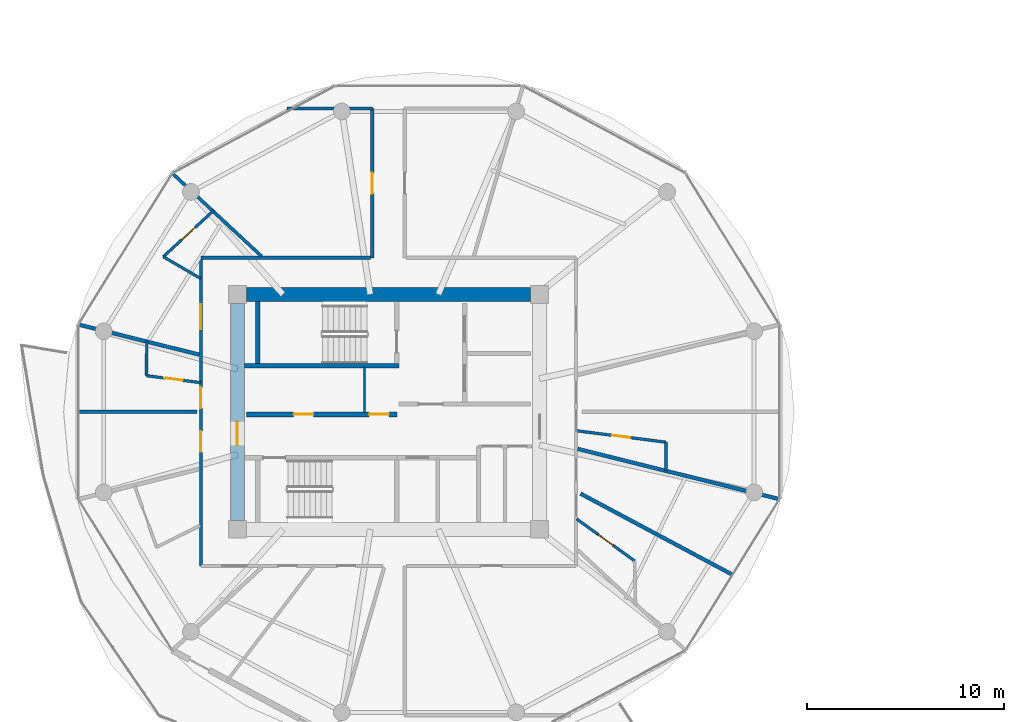
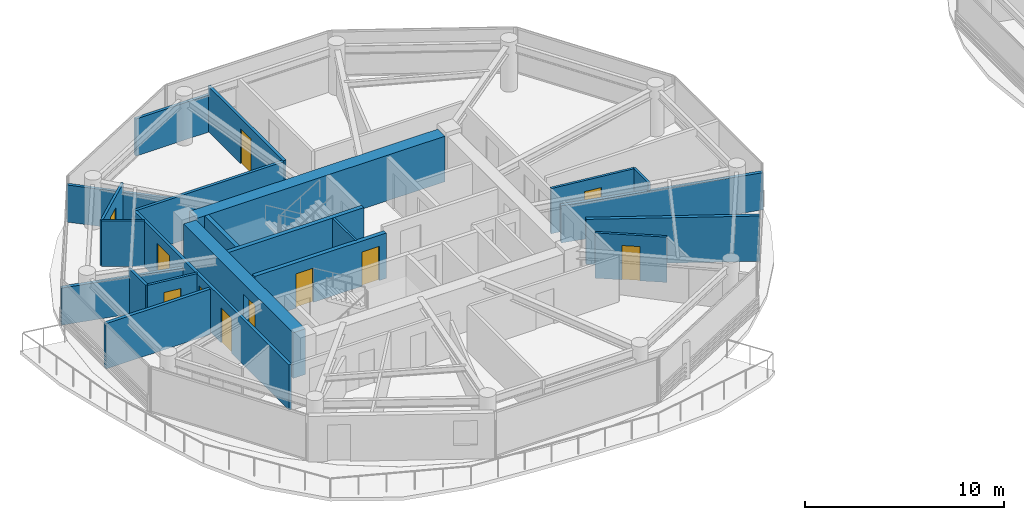
# One storey, part 14 of 24: 22 walls, 11 doors, 11 openings.
"""IFC4 building model written with IfcOpenShell, lengths in metres."""

from ifc_helpers import new_model, si_unit, direction, frame, frame_2d, origin, place, context, subcontext, project, spatial, rectangle, extrude, source, transform, mapped, material, layer, layer_set, type_object, type_shapes, element, fill, save


model = new_model("IFC4")

# Units and contexts
model_context = context("Model", 3, precision=1e-05, world=origin(), true_north=direction((0.0, 1.0)))
body_context = subcontext(model_context, "Body", "Model", "MODEL_VIEW")
ifc_project = project(units=[si_unit("LENGTHUNIT", "METRE"), si_unit("AREAUNIT", "SQUARE_METRE"), si_unit("VOLUMEUNIT", "CUBIC_METRE"), si_unit("PLANEANGLEUNIT", "RADIAN"), si_unit("MASSUNIT", "GRAM", prefix="KILO")], contexts=[model_context])

# Site, building, storey
site_placement = place(None, origin())
site = spatial("IfcSite", under=ifc_project, at=site_placement, CompositionType="ELEMENT")
building_placement = place(site_placement, origin())
building = spatial("IfcBuilding", under=site, at=building_placement, Name="Norrkilde Senior Care Towers", CompositionType="ELEMENT")
storey_placement = place(building_placement, frame((0.0, 0.0, 108.449951171875)))
storey = spatial("IfcBuildingStorey", under=building, at=storey_placement, Name="L33", CompositionType="ELEMENT", Elevation=108.449951171875)

# Wall
ifc_material_1 = material(Name="Concrete C60/75", Category="concrete")
ifc_layer_1 = layer(ifc_material_1, 0.719970703125)
ifc_layer_set_1 = layer_set([ifc_layer_1], Name="Concrete C60/75")
wall_type_1 = type_object("IfcWallType", Name="Core Shear Wall Z2 720", PredefinedType="SHEAR", material=ifc_layer_set_1)
shared_shape_1 = source(origin(), body_context, "Body", "SweptSolid", [
    extrude(rectangle(XDim=14.39990234375, YDim=0.719970703125, at=frame_2d((7.199951171875, 0.0))), origin(), (0.0, 0.0, 1.0), 2.7900390625),
])
wall_1_placement = place(storey_placement, frame((-35.199951171875, 5.949951171875, 0.0), z_axis=(0.0, 0.0, 1.0), x_axis=(1.0, 0.0, 0.0)))
element("IfcWall", 1, at=wall_1_placement, inside=storey, type_object=wall_type_1, Name="L33 Core W North Shear Wall", PredefinedType="SHEAR", context=body_context, shape_type="MappedRepresentation", body=[
    mapped(shared_shape_1, transform((0.0, 0.0, 0.0), x_axis=(1.0, 0.0, 0.0), y_axis=(0.0, 1.0, 0.0), z_axis=(0.0, 0.0, 1.0), scale=1.0)),
])

# Wall, opening, door
shared_shape_2 = source(origin(), body_context, "Body", "SweptSolid", [
    extrude(rectangle(XDim=11.0, YDim=0.719970703125, at=frame_2d((5.5, 0.0))), origin(), (0.0, 0.0, 1.0), 2.7900390625),
])
type_shapes(wall_type_1, [shared_shape_1, shared_shape_2])
wall_2_placement = place(storey_placement, frame((-35.64990234375, -5.5, 0.0), z_axis=(0.0, 0.0, 1.0), x_axis=(0.0, 1.0, 0.0)))
wall_2 = element("IfcWall", 2, at=wall_2_placement, inside=storey, type_object=wall_type_1, Name="L33 Core W West Shear Wall", PredefinedType="SHEAR", context=body_context, shape_type="MappedRepresentation", body=[
    mapped(shared_shape_2, transform((0.0, 0.0, 0.0), x_axis=(1.0, 0.0, 0.0), y_axis=(0.0, 1.0, 0.0), z_axis=(0.0, 0.0, 1.0), scale=1.0)),
])
opening_1_placement = place(wall_2_placement, frame((3.800048828125, 0.0, 0.0)))
opening_1 = element("IfcOpeningElement", 3, at=opening_1_placement, cuts=wall_2, Name="Opening D-04", PredefinedType="OPENING", context=body_context, shape_type="SweptSolid", body=[
    extrude(rectangle(XDim=1.199951171875, YDim=2.14990234375, at=frame_2d((0.60009765625, 1.074951171875))), frame((0.0, 0.369873046875, 0.0), z_axis=(0.0, -1.0, 0.0), x_axis=(1.0, 0.0, 0.0)), (0.0, 0.0, 1.0), 0.739990234375),
])
ifc_material_2 = material(Name="Galvanised Painted Steel", Category="steel")
door_type_1 = type_object("IfcDoorType", Name="Firefighting Lobby Fire Door 1200x2150", OperationType="NOTDEFINED", PredefinedType="DOOR", material=ifc_material_2)
shared_shape_3 = source(origin(), body_context, "Body", "SweptSolid", [
    extrude(rectangle(XDim=1.199951171875, YDim=2.14990234375, at=frame_2d((0.60009765625, 1.074951171875))), frame((0.0, 0.02490234375, 0.0), z_axis=(0.0, -1.0, 0.0), x_axis=(1.0, 0.0, 0.0)), (0.0, 0.0, 1.0), 0.050048828125),
])
type_shapes(door_type_1, [shared_shape_3])
door_1_placement = place(opening_1_placement, frame((1.199951171875, 0.0, 0.0), z_axis=(0.0, 0.0, 1.0), x_axis=(-1.0, 0.0, 0.0)))
door_1 = element("IfcDoor", 4, at=door_1_placement, inside=storey, type_object=door_type_1, Name="L33 Core W West Portal Door", OperationType="SINGLE_SWING_LEFT", OverallHeight=2.14990234375, OverallWidth=1.199951171875, PredefinedType="DOOR", context=body_context, shape_type="MappedRepresentation", body=[
    mapped(shared_shape_3, transform((0.0, 0.0, 0.0), x_axis=(1.0, 0.0, 0.0), y_axis=(0.0, 1.0, 0.0), z_axis=(0.0, 0.0, 1.0), scale=1.0)),
])
fill(opening_1, door_1)

# Wall, openings, doors
ifc_material_3 = material(Name="Concrete C45/55", Category="concrete")
ifc_layer_2 = layer(ifc_material_3, 0.239990234375)
ifc_layer_set_2 = layer_set([ifc_layer_2], Name="Concrete C45/55")
wall_type_2 = type_object("IfcWallType", Name="Lift and Plant Rated Enclosure Partition 240", PredefinedType="PARTITIONING", material=ifc_layer_set_2)
shared_shape_4 = source(origin(), body_context, "Body", "SweptSolid", [
    extrude(rectangle(XDim=7.619873046875, YDim=0.239990234375, at=frame_2d((3.81005859375, 0.0))), origin(), (0.0, 0.0, 1.0), 2.775146484375),
])
type_shapes(wall_type_2, [shared_shape_4])
wall_3_placement = place(storey_placement, frame((-35.199951171875, -0.1298828125, 0.0), z_axis=(0.0, 0.0, 1.0), x_axis=(1.0, 0.0, 0.0)))
wall_3 = element("IfcWall", 5, at=wall_3_placement, inside=storey, type_object=wall_type_2, Name="WL-INT-L33-W-PKAS", PredefinedType="PARTITIONING", context=body_context, shape_type="MappedRepresentation", body=[
    mapped(shared_shape_4, transform((0.0, 0.0, 0.0), x_axis=(1.0, 0.0, 0.0), y_axis=(0.0, 1.0, 0.0), z_axis=(0.0, 0.0, 1.0), scale=1.0)),
])
opening_2_placement = place(wall_3_placement, frame((6.219970703125, 0.0, 0.0)))
opening_2 = element("IfcOpeningElement", 6, at=opening_2_placement, cuts=wall_3, Name="Opening D-10", PredefinedType="OPENING", context=body_context, shape_type="SweptSolid", body=[
    extrude(rectangle(XDim=1.0, YDim=2.10009765625, at=frame_2d((0.5, 1.050048828125))), frame((0.0, 0.1298828125, 0.0), z_axis=(0.0, -1.0, 0.0), x_axis=(1.0, 0.0, 0.0)), (0.0, 0.0, 1.0), 0.260009765625),
])
opening_3_placement = place(wall_3_placement, frame((2.39990234375, 0.0, 0.0)))
opening_3 = element("IfcOpeningElement", 7, at=opening_3_placement, cuts=wall_3, Name="Opening D-10", PredefinedType="OPENING", context=body_context, shape_type="SweptSolid", body=[
    extrude(rectangle(XDim=1.0, YDim=2.10009765625, at=frame_2d((0.5, 1.050048828125))), frame((0.0, 0.1298828125, 0.0), z_axis=(0.0, -1.0, 0.0), x_axis=(1.0, 0.0, 0.0)), (0.0, 0.0, 1.0), 0.260009765625),
])
door_type_2 = type_object("IfcDoorType", Name="Plant and Riser Rated Door 1000x2100", OperationType="NOTDEFINED", PredefinedType="DOOR", material=ifc_material_2)
shared_shape_5 = source(origin(), body_context, "Body", "SweptSolid", [
    extrude(rectangle(XDim=1.0, YDim=2.10009765625, at=frame_2d((0.5, 1.050048828125))), frame((0.0, 0.02490234375, 0.0), z_axis=(0.0, -1.0, 0.0), x_axis=(1.0, 0.0, 0.0)), (0.0, 0.0, 1.0), 0.050048828125),
])
type_shapes(door_type_2, [shared_shape_5])
door_2_placement = place(opening_2_placement, frame((1.0, 0.0, 0.0), z_axis=(0.0, 0.0, 1.0), x_axis=(-1.0, 0.0, 0.0)))
door_2 = element("IfcDoor", 8, at=door_2_placement, inside=storey, type_object=door_type_2, Name="L33 Electrical Riser W Door", OperationType="SINGLE_SWING_LEFT", OverallHeight=2.10009765625, OverallWidth=1.0, PredefinedType="DOOR", context=body_context, shape_type="MappedRepresentation", body=[
    mapped(shared_shape_5, transform((0.0, 0.0, 0.0), x_axis=(1.0, 0.0, 0.0), y_axis=(0.0, 1.0, 0.0), z_axis=(0.0, 0.0, 1.0), scale=1.0)),
])
fill(opening_2, door_2)
door_3_placement = place(opening_3_placement, frame((1.0, 0.0, 0.0), z_axis=(0.0, 0.0, 1.0), x_axis=(-1.0, 0.0, 0.0)))
door_3 = element("IfcDoor", 9, at=door_3_placement, inside=storey, type_object=door_type_2, Name="L33 Clean Supply Store W Door", OperationType="SINGLE_SWING_LEFT", OverallHeight=2.10009765625, OverallWidth=1.0, PredefinedType="DOOR", context=body_context, shape_type="MappedRepresentation", body=[
    mapped(shared_shape_5, transform((0.0, 0.0, 0.0), x_axis=(1.0, 0.0, 0.0), y_axis=(0.0, 1.0, 0.0), z_axis=(0.0, 0.0, 1.0), scale=1.0)),
])
fill(opening_3, door_3)

# Wall
ifc_material_4 = material(Name="Gypsum Acoustic Board")
ifc_layer_3 = layer(ifc_material_4, 0.114990234375)
ifc_layer_set_3 = layer_set([ifc_layer_3], Name="Gypsum Acoustic Board")
wall_type_3 = type_object("IfcWallType", Name="Internal Room Partition 115", PredefinedType="PARTITIONING", material=ifc_layer_set_3)
shared_shape_6 = source(origin(), body_context, "Body", "SweptSolid", [
    extrude(rectangle(XDim=2.330078125, YDim=0.114990234375, at=frame_2d((1.1650390625, 0.0))), origin(), (0.0, 0.0, 1.0), 2.775146484375),
])
type_shapes(wall_type_3, [shared_shape_6])
wall_4_placement = place(storey_placement, frame((-29.2099609375, -0.050048828125, 0.0), z_axis=(0.0, 0.0, 1.0), x_axis=(0.0, 1.0, 0.0)))
element("IfcWall", 10, at=wall_4_placement, inside=storey, type_object=wall_type_3, Name="WL-INT-L33-W-RISW", PredefinedType="PARTITIONING", context=body_context, shape_type="MappedRepresentation", body=[
    mapped(shared_shape_6, transform((0.0, 0.0, 0.0), x_axis=(1.0, 0.0, 0.0), y_axis=(0.0, 1.0, 0.0), z_axis=(0.0, 0.0, 1.0), scale=1.0)),
])

# Wall, openings, doors
ifc_layer_4 = layer(ifc_material_4, 0.1650390625)
ifc_layer_set_4 = layer_set([ifc_layer_4], Name="Gypsum Acoustic Board")
wall_type_4 = type_object("IfcWallType", Name="Corridor Rated Partition 165", PredefinedType="PARTITIONING", material=ifc_layer_set_4)
shared_shape_7 = source(origin(), body_context, "Body", "SweptSolid", [
    extrude(rectangle(XDim=15.60009765625, YDim=0.1650390625, at=frame_2d((7.800048828125, 0.0))), origin(), (0.0, 0.0, 1.0), 2.775146484375),
])
wall_5_placement = place(storey_placement, frame((-37.5, -7.800048828125, 0.0), z_axis=(0.0, 0.0, 1.0), x_axis=(0.0, 1.0, 0.0)))
wall_5 = element("IfcWall", 11, at=wall_5_placement, inside=storey, type_object=wall_type_4, Name="WL-INT-L33-W-CRW-W-0", PredefinedType="PARTITIONING", context=body_context, shape_type="MappedRepresentation", body=[
    mapped(shared_shape_7, transform((0.0, 0.0, 0.0), x_axis=(1.0, 0.0, 0.0), y_axis=(0.0, 1.0, 0.0), z_axis=(0.0, 0.0, 1.0), scale=1.0)),
])
opening_4_placement = place(wall_5_placement, frame((11.994140625, 0.0, 0.0)))
opening_4 = element("IfcOpeningElement", 12, at=opening_4_placement, cuts=wall_5, Name="Opening D-05", PredefinedType="OPENING", context=body_context, shape_type="SweptSolid", body=[
    extrude(rectangle(XDim=1.25, YDim=2.199951171875, at=frame_2d((0.625, 1.10009765625))), frame((0.0, 0.092529296875, 0.0), z_axis=(0.0, -1.0, 0.0), x_axis=(1.0, 0.0, 0.0)), (0.0, 0.0, 1.0), 0.18505859375),
])
opening_5_placement = place(wall_5_placement, frame((7.984375, 0.0, 0.0)))
opening_5 = element("IfcOpeningElement", 13, at=opening_5_placement, cuts=wall_5, Name="Opening D-06", PredefinedType="OPENING", context=body_context, shape_type="SweptSolid", body=[
    extrude(rectangle(XDim=1.050048828125, YDim=2.14990234375, at=frame_2d((0.52490234375, 1.074951171875))), frame((0.0, 0.092529296875, 0.0), z_axis=(0.0, -1.0, 0.0), x_axis=(1.0, 0.0, 0.0)), (0.0, 0.0, 1.0), 0.18505859375),
])
opening_6_placement = place(wall_5_placement, frame((5.776611328125, 0.0, 0.0)))
opening_6 = element("IfcOpeningElement", 14, at=opening_6_placement, cuts=wall_5, Name="Opening D-06", PredefinedType="OPENING", context=body_context, shape_type="SweptSolid", body=[
    extrude(rectangle(XDim=1.050048828125, YDim=2.14990234375, at=frame_2d((0.52490234375, 1.074951171875))), frame((0.0, 0.092529296875, 0.0), z_axis=(0.0, -1.0, 0.0), x_axis=(1.0, 0.0, 0.0)), (0.0, 0.0, 1.0), 0.18505859375),
])
ifc_material_5 = material(Name="Nordic Ash Timber", Category="wood")
door_type_3 = type_object("IfcDoorType", Name="Care Bedroom Bariatric Door 1250x2200", OperationType="NOTDEFINED", PredefinedType="DOOR", material=ifc_material_5)
shared_shape_8 = source(origin(), body_context, "Body", "SweptSolid", [
    extrude(rectangle(XDim=1.25, YDim=2.199951171875, at=frame_2d((0.625, 1.10009765625))), frame((0.0, 0.02490234375, 0.0), z_axis=(0.0, -1.0, 0.0), x_axis=(1.0, 0.0, 0.0)), (0.0, 0.0, 1.0), 0.050048828125),
])
type_shapes(door_type_3, [shared_shape_8])
door_4_placement = place(opening_4_placement, frame((1.25, 0.0, 0.0), z_axis=(0.0, 0.0, 1.0), x_axis=(-1.0, 0.0, 0.0)))
door_4 = element("IfcDoor", 15, at=door_4_placement, inside=storey, type_object=door_type_3, Name="L33 Care Suite 3304 Entrance Door", OperationType="SINGLE_SWING_LEFT", OverallHeight=2.199951171875, OverallWidth=1.25, PredefinedType="DOOR", context=body_context, shape_type="MappedRepresentation", body=[
    mapped(shared_shape_8, transform((0.0, 0.0, 0.0), x_axis=(1.0, 0.0, 0.0), y_axis=(0.0, 1.0, 0.0), z_axis=(0.0, 0.0, 1.0), scale=1.0)),
])
fill(opening_4, door_4)
door_type_4 = type_object("IfcDoorType", Name="Apartment Entrance Fire Door 1050x2150", OperationType="NOTDEFINED", PredefinedType="DOOR", material=ifc_material_5)
shared_shape_9 = source(origin(), body_context, "Body", "SweptSolid", [
    extrude(rectangle(XDim=1.050048828125, YDim=2.14990234375, at=frame_2d((0.52490234375, 1.074951171875))), frame((0.0, 0.02490234375, 0.0), z_axis=(0.0, -1.0, 0.0), x_axis=(1.0, 0.0, 0.0)), (0.0, 0.0, 1.0), 0.050048828125),
])
type_shapes(door_type_4, [shared_shape_9])
door_5_placement = place(opening_5_placement, frame((1.050048828125, 0.0, 0.0), z_axis=(0.0, 0.0, 1.0), x_axis=(-1.0, 0.0, 0.0)))
door_5 = element("IfcDoor", 16, at=door_5_placement, inside=storey, type_object=door_type_4, Name="L33 Care Suite 3305A Entrance Door", OperationType="SINGLE_SWING_RIGHT", OverallHeight=2.14990234375, OverallWidth=1.050048828125, PredefinedType="DOOR", context=body_context, shape_type="MappedRepresentation", body=[
    mapped(shared_shape_9, transform((0.0, 0.0, 0.0), x_axis=(1.0, 0.0, 0.0), y_axis=(0.0, 1.0, 0.0), z_axis=(0.0, 0.0, 1.0), scale=1.0)),
])
fill(opening_5, door_5)
door_6_placement = place(opening_6_placement, frame((1.050048828125, 0.0, 0.0), z_axis=(0.0, 0.0, 1.0), x_axis=(-1.0, 0.0, 0.0)))
door_6 = element("IfcDoor", 17, at=door_6_placement, inside=storey, type_object=door_type_4, Name="L33 Therapy Day Lounge 05 Door", OperationType="SINGLE_SWING_LEFT", OverallHeight=2.14990234375, OverallWidth=1.050048828125, PredefinedType="DOOR", context=body_context, shape_type="MappedRepresentation", body=[
    mapped(shared_shape_9, transform((0.0, 0.0, 0.0), x_axis=(1.0, 0.0, 0.0), y_axis=(0.0, 1.0, 0.0), z_axis=(0.0, 0.0, 1.0), scale=1.0)),
])
fill(opening_6, door_6)

# Walls
ifc_layer_5 = layer(ifc_material_3, 0.239990234375)
ifc_layer_set_5 = layer_set([ifc_layer_5], Name="Concrete C45/55")
wall_type_5 = type_object("IfcWallType", Name="Shaft and Stair Enclosure Wall 240", PredefinedType="PARTITIONING", material=ifc_layer_set_5)
shared_shape_10 = source(origin(), body_context, "Body", "SweptSolid", [
    extrude(rectangle(XDim=7.830078125, YDim=0.239990234375, at=frame_2d((3.9150390625, 0.0))), origin(), (0.0, 0.0, 1.0), 2.7900390625),
])
wall_6_placement = place(storey_placement, frame((-35.2900390625, 2.330078125, 0.0), z_axis=(0.0, 0.0, 1.0), x_axis=(1.0, 0.0, 0.0)))
element("IfcWall", 18, at=wall_6_placement, inside=storey, type_object=wall_type_5, Name="WL-INT-L33-W-ST1S", PredefinedType="PARTITIONING", context=body_context, shape_type="MappedRepresentation", body=[
    mapped(shared_shape_10, transform((0.0, 0.0, 0.0), x_axis=(1.0, 0.0, 0.0), y_axis=(0.0, 1.0, 0.0), z_axis=(0.0, 0.0, 1.0), scale=1.0)),
])
shared_shape_11 = source(origin(), body_context, "Body", "SweptSolid", [
    extrude(rectangle(XDim=3.14013671875, YDim=0.239990234375, at=frame_2d((1.570068359375, 0.0))), origin(), (0.0, 0.0, 1.0), 2.7900390625),
])
type_shapes(wall_type_5, [shared_shape_10, shared_shape_11])
wall_7_placement = place(storey_placement, frame((-34.6201171875, 2.449951171875, 0.0), z_axis=(0.0, 0.0, 1.0), x_axis=(0.0, 1.0, 0.0)))
element("IfcWall", 19, at=wall_7_placement, inside=storey, type_object=wall_type_5, Name="WL-INT-L33-W-ST1W", PredefinedType="PARTITIONING", context=body_context, shape_type="MappedRepresentation", body=[
    mapped(shared_shape_11, transform((0.0, 0.0, 0.0), x_axis=(1.0, 0.0, 0.0), y_axis=(0.0, 1.0, 0.0), z_axis=(0.0, 0.0, 1.0), scale=1.0)),
])
ifc_layer_6 = layer(ifc_material_4, 0.18994140625)
ifc_layer_set_6 = layer_set([ifc_layer_6], Name="Gypsum Acoustic Board")
wall_type_6 = type_object("IfcWallType", Name="Unit Demising Acoustic Wall 190", PredefinedType="PARTITIONING", material=ifc_layer_set_6)
shared_shape_12 = source(origin(), body_context, "Body", "SweptSolid", [
    extrude(rectangle(XDim=10.5556640625, YDim=0.18994140625, at=frame_2d((5.27783203125, 0.0))), origin(), (0.0, 0.0, 1.0), 2.275146484375),
])
wall_8_placement = place(storey_placement, frame((-18.419921875, -1.875, 0.0), z_axis=(0.0, 0.0, 1.0), x_axis=(0.970363857851, -0.241648470667, 0.0)))
element("IfcWall", 20, at=wall_8_placement, inside=storey, type_object=wall_type_6, Name="WL-INT-L33-W-DEM-11-0", PredefinedType="PARTITIONING", context=body_context, shape_type="MappedRepresentation", body=[
    mapped(shared_shape_12, transform((0.0, 0.0, 0.0), x_axis=(1.0, 0.0, 0.0), y_axis=(0.0, 1.0, 0.0), z_axis=(0.0, 0.0, 1.0), scale=1.0)),
])
shared_shape_13 = source(origin(), body_context, "Body", "SweptSolid", [
    extrude(rectangle(XDim=6.33056640625, YDim=0.18994140625, at=frame_2d((3.165283203125, 0.0))), origin(), (0.0, 0.0, 1.0), 2.275146484375),
])
wall_9_placement = place(storey_placement, frame((-37.580078125, 2.89599609375, 0.0), z_axis=(0.0, 0.0, 1.0), x_axis=(-0.97036440661, 0.241646267062, 0.0)))
element("IfcWall", 21, at=wall_9_placement, inside=storey, type_object=wall_type_6, Name="WL-INT-L33-W-DEM-05-0", PredefinedType="PARTITIONING", context=body_context, shape_type="MappedRepresentation", body=[
    mapped(shared_shape_13, transform((0.0, 0.0, 0.0), x_axis=(1.0, 0.0, 0.0), y_axis=(0.0, 1.0, 0.0), z_axis=(0.0, 0.0, 1.0), scale=1.0)),
])
ifc_layer_7 = layer(ifc_material_4, 0.139892578125)
ifc_layer_set_7 = layer_set([ifc_layer_7], Name="Gypsum Acoustic Board")
wall_type_7 = type_object("IfcWallType", Name="En-suite Wet Room Wall 140", PredefinedType="PARTITIONING", material=ifc_layer_set_7)
shared_shape_14 = source(origin(), body_context, "Body", "SweptSolid", [
    extrude(rectangle(XDim=2.171630859375, YDim=0.139892578125, at=frame_2d((1.0859375, 0.0))), origin(), (0.0, 0.0, 1.0), 2.775146484375),
])
wall_10_placement = place(storey_placement, frame((-37.530029296875, 6.761962890625, 0.0), z_axis=(0.0, 0.0, 1.0), x_axis=(-0.863562702562, 0.504241468688, 0.0)))
element("IfcWall", 22, at=wall_10_placement, inside=storey, type_object=wall_type_7, Name="WL-INT-L33-W-ES-04", PredefinedType="PARTITIONING", context=body_context, shape_type="MappedRepresentation", body=[
    mapped(shared_shape_14, transform((0.0, 0.0, 0.0), x_axis=(1.0, 0.0, 0.0), y_axis=(0.0, 1.0, 0.0), z_axis=(0.0, 0.0, 1.0), scale=1.0)),
])
shared_shape_15 = source(origin(), body_context, "Body", "SweptSolid", [
    extrude(rectangle(XDim=8.60009765625, YDim=0.1650390625, at=frame_2d((4.300048828125, 0.0))), origin(), (0.0, 0.0, 1.0), 2.775146484375),
])
wall_11_placement = place(storey_placement, frame((-37.5, 7.800048828125, 0.0), z_axis=(0.0, 0.0, 1.0), x_axis=(1.0, 0.0, 0.0)))
element("IfcWall", 23, at=wall_11_placement, inside=storey, type_object=wall_type_4, Name="WL-INT-L33-W-CRW-N-0", PredefinedType="PARTITIONING", context=body_context, shape_type="MappedRepresentation", body=[
    mapped(shared_shape_15, transform((0.0, 0.0, 0.0), x_axis=(1.0, 0.0, 0.0), y_axis=(0.0, 1.0, 0.0), z_axis=(0.0, 0.0, 1.0), scale=1.0)),
])
shared_shape_16 = source(origin(), body_context, "Body", "SweptSolid", [
    extrude(rectangle(XDim=6.186767578125, YDim=0.1650390625, at=frame_2d((3.09326171875, 0.0))), origin(), (0.0, 0.0, 1.0), 2.275146484375),
])
wall_12_placement = place(storey_placement, frame((-34.428955078125, 7.8798828125, 0.0), z_axis=(0.0, 0.0, 1.0), x_axis=(-0.732501077882, 0.680765870841, 0.0)))
element("IfcWall", 24, at=wall_12_placement, inside=storey, type_object=wall_type_4, Name="WL-INT-L33-W-DEM-04-0", PredefinedType="PARTITIONING", context=body_context, shape_type="MappedRepresentation", body=[
    mapped(shared_shape_16, transform((0.0, 0.0, 0.0), x_axis=(1.0, 0.0, 0.0), y_axis=(0.0, 1.0, 0.0), z_axis=(0.0, 0.0, 1.0), scale=1.0)),
])

# Wall, opening, door
shared_shape_17 = source(origin(), body_context, "Body", "SweptSolid", [
    extrude(rectangle(XDim=7.56005859375, YDim=0.1650390625, at=frame_2d((3.780029296875, 0.0))), origin(), (0.0, 0.0, 1.0), 2.775146484375),
])
wall_13_placement = place(storey_placement, frame((-28.820068359375, 7.800048828125, 0.0), z_axis=(0.0, 0.0, 1.0), x_axis=(0.0, 1.0, 0.0)))
wall_13 = element("IfcWall", 25, at=wall_13_placement, inside=storey, type_object=wall_type_4, Name="WL-INT-L33-W-PKW-NWL", PredefinedType="PARTITIONING", context=body_context, shape_type="MappedRepresentation", body=[
    mapped(shared_shape_17, transform((0.0, 0.0, 0.0), x_axis=(1.0, 0.0, 0.0), y_axis=(0.0, 1.0, 0.0), z_axis=(0.0, 0.0, 1.0), scale=1.0)),
])
opening_7_placement = place(wall_13_placement, frame((3.2548828125, 0.0, 0.0)))
opening_7 = element("IfcOpeningElement", 26, at=opening_7_placement, cuts=wall_13, Name="Opening D-06", PredefinedType="OPENING", context=body_context, shape_type="SweptSolid", body=[
    extrude(rectangle(XDim=1.050048828125, YDim=2.14990234375, at=frame_2d((0.52490234375, 1.074951171875))), frame((0.0, 0.092529296875, 0.0), z_axis=(0.0, -1.0, 0.0), x_axis=(1.0, 0.0, 0.0)), (0.0, 0.0, 1.0), 0.18505859375),
])
door_7_placement = place(opening_7_placement, frame((1.050048828125, 0.0, 0.0), z_axis=(0.0, 0.0, 1.0), x_axis=(-1.0, 0.0, 0.0)))
door_7 = element("IfcDoor", 27, at=door_7_placement, inside=storey, type_object=door_type_4, Name="L33 Reading Lounge NWL Door", OperationType="SINGLE_SWING_RIGHT", OverallHeight=2.14990234375, OverallWidth=1.050048828125, PredefinedType="DOOR", context=body_context, shape_type="MappedRepresentation", body=[
    mapped(shared_shape_9, transform((0.0, 0.0, 0.0), x_axis=(1.0, 0.0, 0.0), y_axis=(0.0, 1.0, 0.0), z_axis=(0.0, 0.0, 1.0), scale=1.0)),
])
fill(opening_7, door_7)

# Walls
shared_shape_18 = source(origin(), body_context, "Body", "SweptSolid", [
    extrude(rectangle(XDim=4.306884765625, YDim=0.1650390625, at=frame_2d((2.1533203125, 0.0))), origin(), (0.0, 0.0, 1.0), 2.275146484375),
])
type_shapes(wall_type_4, [shared_shape_7, shared_shape_15, shared_shape_16, shared_shape_17, shared_shape_18])
wall_14_placement = place(storey_placement, frame((-33.126953125, 15.360107421875, 0.0), z_axis=(0.0, 0.0, 1.0), x_axis=(1.0, 0.0, 0.0)))
element("IfcWall", 28, at=wall_14_placement, inside=storey, type_object=wall_type_4, Name="WL-INT-L33-W-PKH-NWL-0", PredefinedType="PARTITIONING", context=body_context, shape_type="MappedRepresentation", body=[
    mapped(shared_shape_18, transform((0.0, 0.0, 0.0), x_axis=(1.0, 0.0, 0.0), y_axis=(0.0, 1.0, 0.0), z_axis=(0.0, 0.0, 1.0), scale=1.0)),
])
shared_shape_19 = source(origin(), body_context, "Body", "SweptSolid", [
    extrude(rectangle(XDim=8.744384765625, YDim=0.18994140625, at=frame_2d((4.3720703125, 0.0))), origin(), (0.0, 0.0, 1.0), 2.775146484375),
])
wall_15_placement = place(storey_placement, frame((-18.27294921875, -4.141845703125, 0.0), z_axis=(0.0, 0.0, 1.0), x_axis=(0.882252449936, -0.470776607938, 0.0)))
element("IfcWall", 29, at=wall_15_placement, inside=storey, type_object=wall_type_6, Name="WL-INT-L33-W-CMID-10", PredefinedType="PARTITIONING", context=body_context, shape_type="MappedRepresentation", body=[
    mapped(shared_shape_19, transform((0.0, 0.0, 0.0), x_axis=(1.0, 0.0, 0.0), y_axis=(0.0, 1.0, 0.0), z_axis=(0.0, 0.0, 1.0), scale=1.0)),
])

# Wall, opening, door
shared_shape_20 = source(origin(), body_context, "Body", "SweptSolid", [
    extrude(rectangle(XDim=3.621337890625, YDim=0.139892578125, at=frame_2d((1.810546875, 0.0))), origin(), (0.0, 0.0, 1.0), 2.775146484375),
])
wall_16_placement = place(storey_placement, frame((-18.469970703125, -5.421875, 0.0), z_axis=(0.0, 0.0, 1.0), x_axis=(0.80968252222, -0.586868139544, 0.0)))
wall_16 = element("IfcWall", 30, at=wall_16_placement, inside=storey, type_object=wall_type_7, Name="WL-INT-L33-W-ES-10A", PredefinedType="PARTITIONING", context=body_context, shape_type="MappedRepresentation", body=[
    mapped(shared_shape_20, transform((0.0, 0.0, 0.0), x_axis=(1.0, 0.0, 0.0), y_axis=(0.0, 1.0, 0.0), z_axis=(0.0, 0.0, 1.0), scale=1.0)),
])
opening_8_placement = place(wall_16_placement, frame((1.3505859375, 0.0, 0.0)))
opening_8 = element("IfcOpeningElement", 31, at=opening_8_placement, cuts=wall_16, Name="Opening D-08", PredefinedType="OPENING", context=body_context, shape_type="SweptSolid", body=[
    extrude(rectangle(XDim=0.919921875, YDim=2.10009765625, at=frame_2d((0.4599609375, 1.050048828125))), frame((0.0, 0.079833984375, 0.0), z_axis=(0.0, -1.0, 0.0), x_axis=(1.0, 0.0, 0.0)), (0.0, 0.0, 1.0), 0.159912109375),
])
door_type_5 = type_object("IfcDoorType", Name="Accessible Wet Room Door 920x2100", OperationType="NOTDEFINED", PredefinedType="DOOR", material=ifc_material_5)
shared_shape_21 = source(origin(), body_context, "Body", "SweptSolid", [
    extrude(rectangle(XDim=0.919921875, YDim=2.10009765625, at=frame_2d((0.4599609375, 1.050048828125))), frame((0.0, 0.02490234375, 0.0), z_axis=(0.0, -1.0, 0.0), x_axis=(1.0, 0.0, 0.0)), (0.0, 0.0, 1.0), 0.050048828125),
])
type_shapes(door_type_5, [shared_shape_21])
door_8_placement = place(opening_8_placement, origin())
door_8 = element("IfcDoor", 32, at=door_8_placement, inside=storey, type_object=door_type_5, Name="L33 Care Suite 3310A Bathroom Door", OperationType="SINGLE_SWING_RIGHT", OverallHeight=2.10009765625, OverallWidth=0.919921875, PredefinedType="DOOR", context=body_context, shape_type="MappedRepresentation", body=[
    mapped(shared_shape_21, transform((0.0, 0.0, 0.0), x_axis=(1.0, 0.0, 0.0), y_axis=(0.0, 1.0, 0.0), z_axis=(0.0, 0.0, 1.0), scale=1.0)),
])
fill(opening_8, door_8)

shared_shape_22 = source(origin(), body_context, "Body", "SweptSolid", [
    extrude(rectangle(XDim=4.562255859375, YDim=0.139892578125, at=frame_2d((2.28125, 0.0))), origin(), (0.0, 0.0, 1.0), 2.775146484375),
])
wall_17_placement = place(storey_placement, frame((-18.469970703125, -0.95751953125, 0.0), z_axis=(0.0, 0.0, 1.0), x_axis=(0.991904666356, -0.126984774129, 0.0)))
wall_17 = element("IfcWall", 33, at=wall_17_placement, inside=storey, type_object=wall_type_7, Name="WL-INT-L33-W-ES-11A", PredefinedType="PARTITIONING", context=body_context, shape_type="MappedRepresentation", body=[
    mapped(shared_shape_22, transform((0.0, 0.0, 0.0), x_axis=(1.0, 0.0, 0.0), y_axis=(0.0, 1.0, 0.0), z_axis=(0.0, 0.0, 1.0), scale=1.0)),
])
opening_9_placement = place(wall_17_placement, frame((1.8212890625, 0.0, 0.0)))
opening_9 = element("IfcOpeningElement", 34, at=opening_9_placement, cuts=wall_17, Name="Opening D-08", PredefinedType="OPENING", context=body_context, shape_type="SweptSolid", body=[
    extrude(rectangle(XDim=0.919921875, YDim=2.10009765625, at=frame_2d((0.4599609375, 1.050048828125))), frame((0.0, 0.079833984375, 0.0), z_axis=(0.0, -1.0, 0.0), x_axis=(1.0, 0.0, 0.0)), (0.0, 0.0, 1.0), 0.159912109375),
])
door_9_placement = place(opening_9_placement, origin())
door_9 = element("IfcDoor", 35, at=door_9_placement, inside=storey, type_object=door_type_5, Name="L33 Care Suite 3311A Bathroom Door", OperationType="SINGLE_SWING_LEFT", OverallHeight=2.10009765625, OverallWidth=0.919921875, PredefinedType="DOOR", context=body_context, shape_type="MappedRepresentation", body=[
    mapped(shared_shape_21, transform((0.0, 0.0, 0.0), x_axis=(1.0, 0.0, 0.0), y_axis=(0.0, 1.0, 0.0), z_axis=(0.0, 0.0, 1.0), scale=1.0)),
])
fill(opening_9, door_9)

# Wall
shared_shape_23 = source(origin(), body_context, "Body", "SweptSolid", [
    extrude(rectangle(XDim=1.4677734375, YDim=0.139892578125, at=frame_2d((0.73388671875, 0.0))), origin(), (0.0, 0.0, 1.0), 2.775146484375),
])
wall_18_placement = place(storey_placement, frame((-13.944580078125, -1.536865234375, 0.0), z_axis=(0.0, 0.0, 1.0), x_axis=(-0.00399198416, -0.999992031999, 0.0)))
element("IfcWall", 36, at=wall_18_placement, inside=storey, type_object=wall_type_7, Name="WL-INT-L33-W-EF-11A", PredefinedType="PARTITIONING", context=body_context, shape_type="MappedRepresentation", body=[
    mapped(shared_shape_23, transform((0.0, 0.0, 0.0), x_axis=(1.0, 0.0, 0.0), y_axis=(0.0, 1.0, 0.0), z_axis=(0.0, 0.0, 1.0), scale=1.0)),
])

# Wall, opening, door
shared_shape_24 = source(origin(), body_context, "Body", "SweptSolid", [
    extrude(rectangle(XDim=3.456787109375, YDim=0.139892578125, at=frame_2d((1.728515625, 0.0))), origin(), (0.0, 0.0, 1.0), 2.775146484375),
])
wall_19_placement = place(storey_placement, frame((-39.4052734375, 7.85693359375, 0.0), z_axis=(0.0, 0.0, 1.0), x_axis=(0.737567375492, 0.675273549467, 0.0)))
wall_19 = element("IfcWall", 37, at=wall_19_placement, inside=storey, type_object=wall_type_7, Name="WL-INT-L33-W-EF-04", PredefinedType="PARTITIONING", context=body_context, shape_type="MappedRepresentation", body=[
    mapped(shared_shape_24, transform((0.0, 0.0, 0.0), x_axis=(1.0, 0.0, 0.0), y_axis=(0.0, 1.0, 0.0), z_axis=(0.0, 0.0, 1.0), scale=1.0)),
])
opening_10_placement = place(wall_19_placement, frame((1.268310546875, 0.0, 0.0)))
opening_10 = element("IfcOpeningElement", 38, at=opening_10_placement, cuts=wall_19, Name="Opening D-08", PredefinedType="OPENING", context=body_context, shape_type="SweptSolid", body=[
    extrude(rectangle(XDim=0.919921875, YDim=2.10009765625, at=frame_2d((0.4599609375, 1.050048828125))), frame((0.0, 0.079833984375, 0.0), z_axis=(0.0, -1.0, 0.0), x_axis=(1.0, 0.0, 0.0)), (0.0, 0.0, 1.0), 0.159912109375),
])
door_10_placement = place(opening_10_placement, origin())
door_10 = element("IfcDoor", 39, at=door_10_placement, inside=storey, type_object=door_type_5, Name="L33 Care Suite 3304 Bathroom Door", OperationType="SINGLE_SWING_RIGHT", OverallHeight=2.10009765625, OverallWidth=0.919921875, PredefinedType="DOOR", context=body_context, shape_type="MappedRepresentation", body=[
    mapped(shared_shape_21, transform((0.0, 0.0, 0.0), x_axis=(1.0, 0.0, 0.0), y_axis=(0.0, 1.0, 0.0), z_axis=(0.0, 0.0, 1.0), scale=1.0)),
])
fill(opening_10, door_10)

# Wall
shared_shape_25 = source(origin(), body_context, "Body", "SweptSolid", [
    extrude(rectangle(XDim=6.03857421875, YDim=0.18994140625, at=frame_2d((3.019287109375, 0.0))), origin(), (0.0, 0.0, 1.0), 2.775146484375),
])
type_shapes(wall_type_6, [shared_shape_12, shared_shape_13, shared_shape_19, shared_shape_25])
wall_20_placement = place(storey_placement, frame((-37.6845703125, 0.0, 0.0), z_axis=(0.0, 0.0, 1.0), x_axis=(-1.0, 0.0, 0.0)))
element("IfcWall", 40, at=wall_20_placement, inside=storey, type_object=wall_type_6, Name="WL-INT-L33-W-CMID-05", PredefinedType="PARTITIONING", context=body_context, shape_type="MappedRepresentation", body=[
    mapped(shared_shape_25, transform((0.0, 0.0, 0.0), x_axis=(1.0, 0.0, 0.0), y_axis=(0.0, 1.0, 0.0), z_axis=(0.0, 0.0, 1.0), scale=1.0)),
])

# Wall, opening, door
shared_shape_26 = source(origin(), body_context, "Body", "SweptSolid", [
    extrude(rectangle(XDim=2.74365234375, YDim=0.139892578125, at=frame_2d((1.371826171875, 0.0))), origin(), (0.0, 0.0, 1.0), 2.775146484375),
])
wall_21_placement = place(storey_placement, frame((-37.530029296875, 1.482421875, 0.0), z_axis=(0.0, 0.0, 1.0), x_axis=(-0.991916450239, 0.126892693823, 0.0)))
wall_21 = element("IfcWall", 41, at=wall_21_placement, inside=storey, type_object=wall_type_7, Name="WL-INT-L33-W-ES-05A", PredefinedType="PARTITIONING", context=body_context, shape_type="MappedRepresentation", body=[
    mapped(shared_shape_26, transform((0.0, 0.0, 0.0), x_axis=(1.0, 0.0, 0.0), y_axis=(0.0, 1.0, 0.0), z_axis=(0.0, 0.0, 1.0), scale=1.0)),
])
opening_11_placement = place(wall_21_placement, frame((0.911865234375, 0.0, 0.0)))
opening_11 = element("IfcOpeningElement", 42, at=opening_11_placement, cuts=wall_21, Name="Opening D-08", PredefinedType="OPENING", context=body_context, shape_type="SweptSolid", body=[
    extrude(rectangle(XDim=0.919921875, YDim=2.10009765625, at=frame_2d((0.4599609375, 1.050048828125))), frame((0.0, 0.079833984375, 0.0), z_axis=(0.0, -1.0, 0.0), x_axis=(1.0, 0.0, 0.0)), (0.0, 0.0, 1.0), 0.159912109375),
])
door_11_placement = place(opening_11_placement, origin())
door_11 = element("IfcDoor", 43, at=door_11_placement, inside=storey, type_object=door_type_5, Name="L33 Care Suite 3305A Bathroom Door", OperationType="SINGLE_SWING_LEFT", OverallHeight=2.10009765625, OverallWidth=0.919921875, PredefinedType="DOOR", context=body_context, shape_type="MappedRepresentation", body=[
    mapped(shared_shape_21, transform((0.0, 0.0, 0.0), x_axis=(1.0, 0.0, 0.0), y_axis=(0.0, 1.0, 0.0), z_axis=(0.0, 0.0, 1.0), scale=1.0)),
])
fill(opening_11, door_11)

# Wall
shared_shape_27 = source(origin(), body_context, "Body", "SweptSolid", [
    extrude(rectangle(XDim=1.7490234375, YDim=0.139892578125, at=frame_2d((0.87451171875, 0.0))), origin(), (0.0, 0.0, 1.0), 2.775146484375),
])
type_shapes(wall_type_7, [shared_shape_14, shared_shape_20, shared_shape_22, shared_shape_23, shared_shape_24, shared_shape_26, shared_shape_27])
wall_22_placement = place(storey_placement, frame((-40.25146484375, 1.83056640625, 0.0), z_axis=(0.0, 0.0, 1.0), x_axis=(0.003350064953, 0.999994388517, 0.0)))
element("IfcWall", 44, at=wall_22_placement, inside=storey, type_object=wall_type_7, Name="WL-INT-L33-W-EF-05A", PredefinedType="PARTITIONING", context=body_context, shape_type="MappedRepresentation", body=[
    mapped(shared_shape_27, transform((0.0, 0.0, 0.0), x_axis=(1.0, 0.0, 0.0), y_axis=(0.0, 1.0, 0.0), z_axis=(0.0, 0.0, 1.0), scale=1.0)),
])

save(model, "model.ifc")
